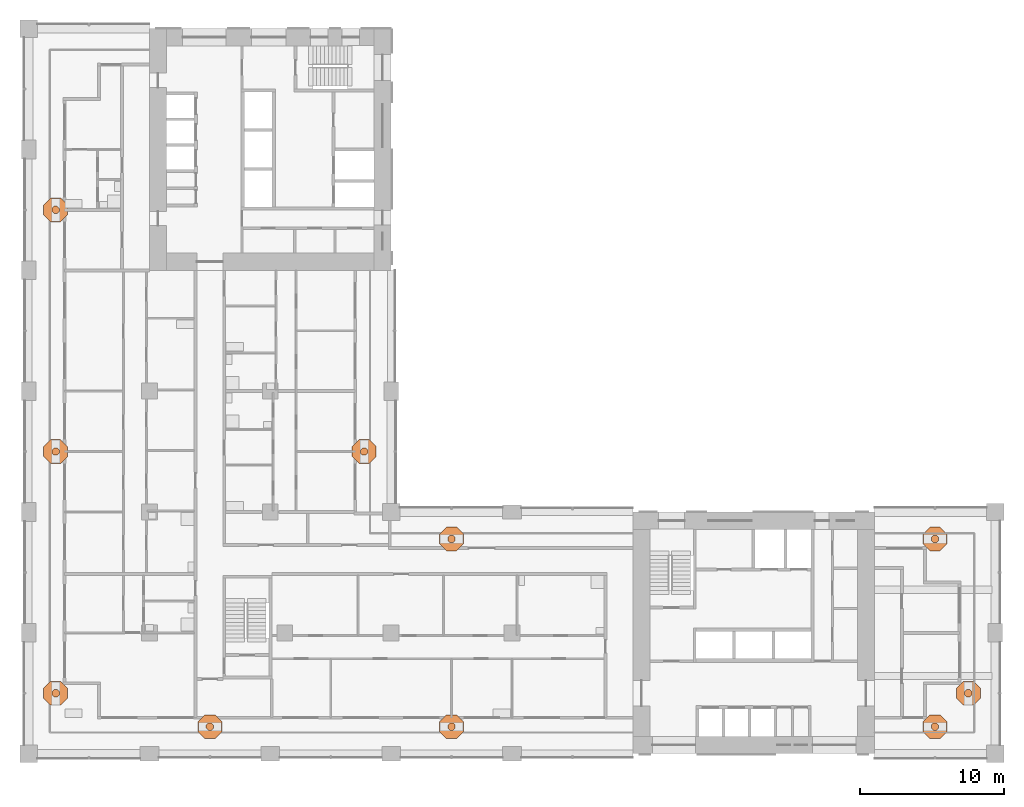
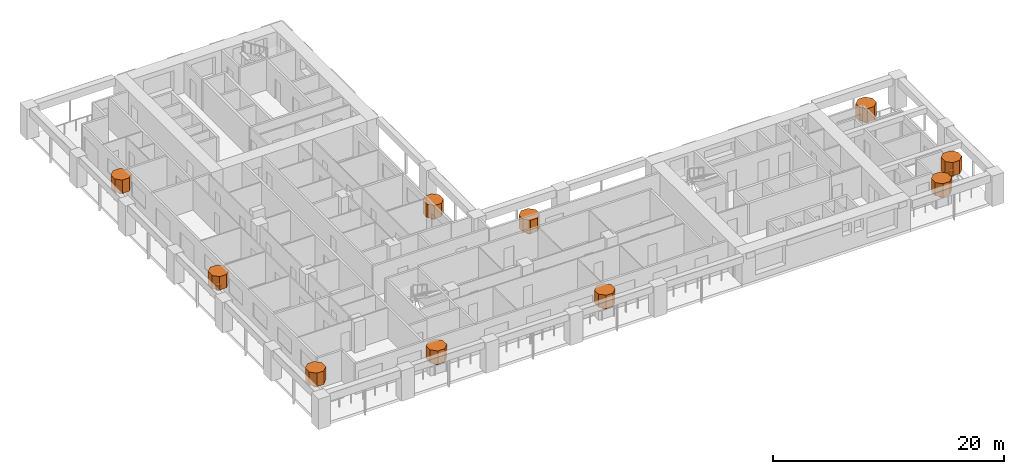
# One storey, part 18 of 18: 20 geographic elements.
"""IFC4 building model written with IfcOpenShell, lengths in metres."""

import ifcopenshell
import ifcopenshell.guid

model = None  # the IFC model being written
_history = None  # IfcOwnerHistory: only IFC2X3 demands one
_inside = {}  # id of a spatial element -> (the spatial element, [elements in it])
_under = {}  # id of a project, library or spatial element -> (it, [spatial elements below it])
_declared = {}  # id of a project -> (the project, [libraries it declares])
_typed = {}  # id of a type object -> (the type object, [elements of that type])
_made_of = {}  # id of a material, layer set ... -> (it, [elements and type objects made of it])


def new_model(schema):
    """Start an empty IFC model of exactly this schema.

    Asked for "IFC4X3", IfcOpenShell would pick the latest addendum, in which some entities
    have other attributes; the version numbers below select the first issue.
    IFC2X3 requires an IfcOwnerHistory on every rooted entity: one is made here for all.
    """
    global model, _history
    if schema == "IFC4X3":
        model = ifcopenshell.file(schema_version=(4, 3, 0, 0))
    else:
        model = ifcopenshell.file(schema=schema)
    _inside.clear()
    _under.clear()
    _declared.clear()
    _typed.clear()
    _made_of.clear()
    _history = None
    if model.schema == "IFC2X3":
        org = make("IfcOrganization", Name="unknown")
        user = make(
            "IfcPersonAndOrganization",
            ThePerson=make("IfcPerson", FamilyName="unknown"),
            TheOrganization=org,
        )
        app = make(
            "IfcApplication",
            ApplicationDeveloper=org,
            Version="unknown",
            ApplicationFullName="unknown",
            ApplicationIdentifier="unknown",
        )
        _history = make(
            "IfcOwnerHistory",
            OwningUser=user,
            OwningApplication=app,
            ChangeAction="ADDED",
            CreationDate=0,
        )
    return model


def make(cls, **values):
    """One entity of the class cls with the attributes given. An attribute that is None is left unset."""
    return model.create_entity(
        cls, **{name: value for name, value in values.items() if value is not None}
    )


def rooted(cls, **values):
    """An entity with a GlobalId (a new one), such as an element, a storey or a relation."""
    return make(cls, GlobalId=ifcopenshell.guid.new(), OwnerHistory=_history, **values)


def si_unit(unit_type, name, prefix=None):
    """IfcSIUnit, for example si_unit("LENGTHUNIT", "METRE", prefix="MILLI")."""
    return make("IfcSIUnit", UnitType=unit_type, Prefix=prefix, Name=name)


def assignment(units):
    """IfcUnitAssignment: the units of a project."""
    return None if units is None else make("IfcUnitAssignment", Units=units)


def point(xyz):
    """IfcCartesianPoint."""
    return None if xyz is None else make("IfcCartesianPoint", Coordinates=xyz)


def direction(xyz):
    """IfcDirection."""
    return None if xyz is None else make("IfcDirection", DirectionRatios=xyz)


def frame(location, z_axis=None, x_axis=None):
    """IfcAxis2Placement3D, a coordinate frame: its origin and axes. An axis left out is left unset."""
    return make(
        "IfcAxis2Placement3D",
        Location=point(location),
        Axis=direction(z_axis),
        RefDirection=direction(x_axis),
    )


def origin():
    """The frame at (0, 0, 0) with its axes left unset."""
    return frame((0.0, 0.0, 0.0))


def place(relative_to, where):
    """IfcLocalPlacement: puts the frame where relative to a parent placement (None: the world)."""
    return make(
        "IfcLocalPlacement", PlacementRelTo=relative_to, RelativePlacement=where
    )


def context(
    kind, dimensions, precision=None, world=None, true_north=None, identifier=None
):
    """IfcGeometricRepresentationContext, for example the 3D "Model" context."""
    return make(
        "IfcGeometricRepresentationContext",
        ContextIdentifier=identifier,
        ContextType=kind,
        CoordinateSpaceDimension=dimensions,
        Precision=precision,
        WorldCoordinateSystem=world,
        TrueNorth=true_north,
    )


def subcontext(parent, identifier, kind, view, scale=None):
    """IfcGeometricRepresentationSubContext, for example "Body" below "Model"."""
    return make(
        "IfcGeometricRepresentationSubContext",
        ContextIdentifier=identifier,
        ContextType=kind,
        ParentContext=parent,
        TargetScale=scale,
        TargetView=view,
    )


def project(units=None, contexts=None):
    """IfcProject with its units and contexts."""
    return rooted(
        "IfcProject",
        Name="project",
        RepresentationContexts=contexts,
        UnitsInContext=assignment(units),
    )


def spatial(cls, under=None, at=None, **own):
    """A site, building, storey or space (cls), placed at a placement, below another one or the project."""
    s = rooted(cls, ObjectPlacement=at, **own)
    if under is not None:
        _under.setdefault(under.id(), (under, []))[1].append(s)
    return s


def polyline(points):
    """IfcPolyline through the points."""
    return make("IfcPolyline", Points=[point(p) for p in points])


def outline(outer, holes=None, kind="AREA"):
    """IfcArbitraryClosedProfileDef: a profile drawn as a closed curve; with holes, ...WithVoids."""
    if holes is None:
        return make("IfcArbitraryClosedProfileDef", ProfileType=kind, OuterCurve=outer)
    return make(
        "IfcArbitraryProfileDefWithVoids",
        ProfileType=kind,
        OuterCurve=outer,
        InnerCurves=holes,
    )


def extrude(swept, where, along, depth):
    """IfcExtrudedAreaSolid: the profile swept, set in the frame where, extruded along a direction by depth."""
    return make(
        "IfcExtrudedAreaSolid",
        SweptArea=swept,
        Position=where,
        ExtrudedDirection=direction(along),
        Depth=depth,
    )


def shape(context_of_items, identifier, shape_type, items):
    """IfcShapeRepresentation: the items that make up one representation, for example the "Body"."""
    return make(
        "IfcShapeRepresentation",
        ContextOfItems=context_of_items,
        RepresentationIdentifier=identifier,
        RepresentationType=shape_type,
        Items=items,
    )


def material(Name=None, Category=None):
    """IfcMaterial."""
    return make("IfcMaterial", Name=Name, Category=Category)


def made_of(thing, what):
    """Note that an element or type object is made of a material, layer set ...; save() writes the relation."""
    if what is not None:
        _made_of.setdefault(what.id(), (what, []))[1].append(thing)
    return thing


def element(
    cls,
    number,
    at=None,
    inside=None,
    cuts=None,
    type_object=None,
    material=None,
    context=None,
    identifier="Body",
    shape_type=None,
    held_by="IfcProductDefinitionShape",
    body=None,
    shapes=None,
    **own,
):
    """One element of the class cls, such as IfcWall. Its Tag is "e" and its number.

    at: its placement. inside: the storey or other place that contains it. cuts: it is an
    opening in that element (IfcRelVoidsElement). A single representation is given by context,
    identifier, shape_type and body (its items); several are given by shapes. held_by: the class
    of the entity that holds the representations. save() writes the other relations.
    """
    e = rooted(cls, Tag="e%d" % number, ObjectPlacement=at, **own)
    if body is not None:
        shapes = [shape(context, identifier, shape_type, body)]
    if shapes is not None:
        e.Representation = make(held_by, Representations=shapes)
    if inside is not None:
        _inside.setdefault(inside.id(), (inside, []))[1].append(e)
    if cuts is not None:
        rooted(
            "IfcRelVoidsElement", RelatingBuildingElement=cuts, RelatedOpeningElement=e
        )
    if type_object is not None:
        _typed.setdefault(type_object.id(), (type_object, []))[1].append(e)
    return made_of(e, material)


def aggregate(whole, parts):
    """IfcRelAggregates: a whole, such as a stair, and the parts it consists of."""
    return rooted("IfcRelAggregates", RelatingObject=whole, RelatedObjects=parts)


def save(model, path):
    """Write the relations noted so far, then the file.

    IfcRelAggregates (storeys below a building ...), IfcRelContainedInSpatialStructure (elements
    in a storey), IfcRelDefinesByType, IfcRelAssociatesMaterial and IfcRelDeclares: one each for
    every whole, place, type object, material and project.
    """
    for whole, parts in _under.values():
        aggregate(whole, parts)
    for where, things in _inside.values():
        rooted(
            "IfcRelContainedInSpatialStructure",
            RelatedElements=things,
            RelatingStructure=where,
        )
    for kind, things in _typed.values():
        rooted("IfcRelDefinesByType", RelatedObjects=things, RelatingType=kind)
    for what, things in _made_of.values():
        rooted("IfcRelAssociatesMaterial", RelatedObjects=things, RelatingMaterial=what)
    for by, libraries in _declared.values():
        rooted("IfcRelDeclares", RelatingContext=by, RelatedDefinitions=libraries)
    model.write(path)


model = new_model("IFC4")

# Units and contexts
model_context = context("Model", 3, precision=1e-05, world=origin(), true_north=direction((0.0, 1.0)))
body_context = subcontext(model_context, "Body", "Model", "MODEL_VIEW")
ifc_project = project(units=[si_unit("LENGTHUNIT", "METRE"), si_unit("AREAUNIT", "SQUARE_METRE"), si_unit("VOLUMEUNIT", "CUBIC_METRE"), si_unit("PLANEANGLEUNIT", "RADIAN"), si_unit("MASSUNIT", "GRAM", prefix="KILO")], contexts=[model_context])

# Site, building, storey
site_placement = place(None, origin())
site = spatial("IfcSite", under=ifc_project, at=site_placement, CompositionType="ELEMENT")
building_placement = place(site_placement, origin())
building = spatial("IfcBuilding", under=site, at=building_placement, Name="Vermilion Gate Residences", CompositionType="ELEMENT")
storey_placement = place(building_placement, frame((0.0, 0.0, 88.199951171875)))
storey = spatial("IfcBuildingStorey", under=building, at=storey_placement, Name="L21", CompositionType="ELEMENT", Elevation=88.199951171875)

# Geographic elements
ifc_material = material(Name="Foliage")
geographic_element_1_placement = place(storey_placement, frame((0.0, 0.0, 0.900146484375)))
element("IfcGeographicElement", 1, at=geographic_element_1_placement, inside=storey, material=ifc_material, Name="Tree (maple)", ObjectType="TREE", PredefinedType="USERDEFINED", context=body_context, shape_type="SweptSolid", body=[
    extrude(outline(polyline([(12.85400390625, 10.380126953125), (12.705078125, 10.529052734375), (12.494873046875, 10.529052734375), (12.345947265625, 10.380126953125), (12.345947265625, 10.169921875), (12.494873046875, 10.02099609375), (12.705078125, 10.02099609375), (12.85400390625, 10.169921875), (12.85400390625, 10.380126953125)])), origin(), (0.0, 0.0, 1.0), 0.52001953125),
])
geographic_element_2_placement = place(storey_placement, frame((0.0, 0.0, 1.420166015625)))
element("IfcGeographicElement", 2, at=geographic_element_2_placement, inside=storey, material=ifc_material, Name="Tree crown (maple)", ObjectType="TREE", PredefinedType="USERDEFINED", context=body_context, shape_type="SweptSolid", body=[
    extrude(outline(polyline([(13.431396484375, 10.619384765625), (12.9443359375, 11.1064453125), (12.255615234375, 11.1064453125), (11.7685546875, 10.619384765625), (11.7685546875, 9.9306640625), (12.255615234375, 9.443603515625), (12.9443359375, 9.443603515625), (13.431396484375, 9.9306640625), (13.431396484375, 10.619384765625)])), origin(), (0.0, 0.0, 1.0), 1.39990234375),
])
geographic_element_3_placement = place(storey_placement, frame((0.0, 0.0, 0.900146484375)))
element("IfcGeographicElement", 3, at=geographic_element_3_placement, inside=storey, material=ifc_material, Name="Tree (black pine)", ObjectType="TREE", PredefinedType="USERDEFINED", context=body_context, shape_type="SweptSolid", body=[
    extrude(outline(polyline([(29.654052734375, 10.380126953125), (29.505126953125, 10.529052734375), (29.294921875, 10.529052734375), (29.14599609375, 10.380126953125), (29.14599609375, 10.169921875), (29.294921875, 10.02099609375), (29.505126953125, 10.02099609375), (29.654052734375, 10.169921875), (29.654052734375, 10.380126953125)])), origin(), (0.0, 0.0, 1.0), 0.52001953125),
])
geographic_element_4_placement = place(storey_placement, frame((0.0, 0.0, 1.420166015625)))
element("IfcGeographicElement", 4, at=geographic_element_4_placement, inside=storey, material=ifc_material, Name="Tree crown (black pine)", ObjectType="TREE", PredefinedType="USERDEFINED", context=body_context, shape_type="SweptSolid", body=[
    extrude(outline(polyline([(30.2314453125, 10.619384765625), (29.744384765625, 11.1064453125), (29.0556640625, 11.1064453125), (28.568603515625, 10.619384765625), (28.568603515625, 9.9306640625), (29.0556640625, 9.443603515625), (29.744384765625, 9.443603515625), (30.2314453125, 9.9306640625), (30.2314453125, 10.619384765625)])), origin(), (0.0, 0.0, 1.0), 1.39990234375),
])
geographic_element_5_placement = place(storey_placement, frame((0.0, 0.0, 0.900146484375)))
element("IfcGeographicElement", 5, at=geographic_element_5_placement, inside=storey, material=ifc_material, Name="Tree (black pine)", ObjectType="TREE", PredefinedType="USERDEFINED", context=body_context, shape_type="SweptSolid", body=[
    extrude(outline(polyline([(63.254150390625, 10.380126953125), (63.105224609375, 10.529052734375), (62.894775390625, 10.529052734375), (62.745849609375, 10.380126953125), (62.745849609375, 10.169921875), (62.894775390625, 10.02099609375), (63.105224609375, 10.02099609375), (63.254150390625, 10.169921875), (63.254150390625, 10.380126953125)])), origin(), (0.0, 0.0, 1.0), 0.52001953125),
])
geographic_element_6_placement = place(storey_placement, frame((0.0, 0.0, 1.420166015625)))
element("IfcGeographicElement", 6, at=geographic_element_6_placement, inside=storey, material=ifc_material, Name="Tree crown (black pine)", ObjectType="TREE", PredefinedType="USERDEFINED", context=body_context, shape_type="SweptSolid", body=[
    extrude(outline(polyline([(63.83154296875, 10.619384765625), (63.344482421875, 11.1064453125), (62.655517578125, 11.1064453125), (62.16845703125, 10.619384765625), (62.16845703125, 9.9306640625), (62.655517578125, 9.443603515625), (63.344482421875, 9.443603515625), (63.83154296875, 9.9306640625), (63.83154296875, 10.619384765625)])), origin(), (0.0, 0.0, 1.0), 1.39990234375),
])
geographic_element_7_placement = place(storey_placement, frame((0.0, 0.0, 0.900146484375)))
element("IfcGeographicElement", 7, at=geographic_element_7_placement, inside=storey, material=ifc_material, Name="Tree (maple)", ObjectType="TREE", PredefinedType="USERDEFINED", context=body_context, shape_type="SweptSolid", body=[
    extrude(outline(polyline([(65.5791015625, 12.705078125), (65.43017578125, 12.85400390625), (65.2197265625, 12.85400390625), (65.07080078125, 12.705078125), (65.07080078125, 12.494873046875), (65.2197265625, 12.345947265625), (65.43017578125, 12.345947265625), (65.5791015625, 12.494873046875), (65.5791015625, 12.705078125)])), origin(), (0.0, 0.0, 1.0), 0.52001953125),
])
geographic_element_8_placement = place(storey_placement, frame((0.0, 0.0, 1.420166015625)))
element("IfcGeographicElement", 8, at=geographic_element_8_placement, inside=storey, material=ifc_material, Name="Tree crown (maple)", ObjectType="TREE", PredefinedType="USERDEFINED", context=body_context, shape_type="SweptSolid", body=[
    extrude(outline(polyline([(66.156494140625, 12.9443359375), (65.66943359375, 13.431396484375), (64.980712890625, 13.431396484375), (64.493408203125, 12.9443359375), (64.493408203125, 12.255615234375), (64.980712890625, 11.7685546875), (65.66943359375, 11.7685546875), (66.156494140625, 12.255615234375), (66.156494140625, 12.9443359375)])), origin(), (0.0, 0.0, 1.0), 1.39990234375),
])
geographic_element_9_placement = place(storey_placement, frame((0.0, 0.0, 0.900146484375)))
element("IfcGeographicElement", 9, at=geographic_element_9_placement, inside=storey, material=ifc_material, Name="Tree (black pine)", ObjectType="TREE", PredefinedType="USERDEFINED", context=body_context, shape_type="SweptSolid", body=[
    extrude(outline(polyline([(29.654052734375, 23.43017578125), (29.505126953125, 23.5791015625), (29.294921875, 23.5791015625), (29.14599609375, 23.43017578125), (29.14599609375, 23.2197265625), (29.294921875, 23.07080078125), (29.505126953125, 23.07080078125), (29.654052734375, 23.2197265625), (29.654052734375, 23.43017578125)])), origin(), (0.0, 0.0, 1.0), 0.52001953125),
])
geographic_element_10_placement = place(storey_placement, frame((0.0, 0.0, 1.420166015625)))
element("IfcGeographicElement", 10, at=geographic_element_10_placement, inside=storey, material=ifc_material, Name="Tree crown (black pine)", ObjectType="TREE", PredefinedType="USERDEFINED", context=body_context, shape_type="SweptSolid", body=[
    extrude(outline(polyline([(30.2314453125, 23.66943359375), (29.744384765625, 24.156494140625), (29.0556640625, 24.156494140625), (28.568603515625, 23.66943359375), (28.568603515625, 22.980712890625), (29.0556640625, 22.493408203125), (29.744384765625, 22.493408203125), (30.2314453125, 22.980712890625), (30.2314453125, 23.66943359375)])), origin(), (0.0, 0.0, 1.0), 1.39990234375),
])
geographic_element_11_placement = place(storey_placement, frame((0.0, 0.0, 0.900146484375)))
element("IfcGeographicElement", 11, at=geographic_element_11_placement, inside=storey, material=ifc_material, Name="Tree (black pine)", ObjectType="TREE", PredefinedType="USERDEFINED", context=body_context, shape_type="SweptSolid", body=[
    extrude(outline(polyline([(63.254150390625, 23.43017578125), (63.105224609375, 23.5791015625), (62.894775390625, 23.5791015625), (62.745849609375, 23.43017578125), (62.745849609375, 23.2197265625), (62.894775390625, 23.07080078125), (63.105224609375, 23.07080078125), (63.254150390625, 23.2197265625), (63.254150390625, 23.43017578125)])), origin(), (0.0, 0.0, 1.0), 0.52001953125),
])
geographic_element_12_placement = place(storey_placement, frame((0.0, 0.0, 1.420166015625)))
element("IfcGeographicElement", 12, at=geographic_element_12_placement, inside=storey, material=ifc_material, Name="Tree crown (black pine)", ObjectType="TREE", PredefinedType="USERDEFINED", context=body_context, shape_type="SweptSolid", body=[
    extrude(outline(polyline([(63.83154296875, 23.66943359375), (63.344482421875, 24.156494140625), (62.655517578125, 24.156494140625), (62.16845703125, 23.66943359375), (62.16845703125, 22.980712890625), (62.655517578125, 22.493408203125), (63.344482421875, 22.493408203125), (63.83154296875, 22.980712890625), (63.83154296875, 23.66943359375)])), origin(), (0.0, 0.0, 1.0), 1.39990234375),
])
geographic_element_13_placement = place(storey_placement, frame((0.0, 0.0, 0.900146484375)))
element("IfcGeographicElement", 13, at=geographic_element_13_placement, inside=storey, material=ifc_material, Name="Tree (black pine)", ObjectType="TREE", PredefinedType="USERDEFINED", context=body_context, shape_type="SweptSolid", body=[
    extrude(outline(polyline([(23.5791015625, 29.505126953125), (23.43017578125, 29.654052734375), (23.2197265625, 29.654052734375), (23.07080078125, 29.505126953125), (23.07080078125, 29.294921875), (23.2197265625, 29.14599609375), (23.43017578125, 29.14599609375), (23.5791015625, 29.294921875), (23.5791015625, 29.505126953125)])), origin(), (0.0, 0.0, 1.0), 0.52001953125),
])
geographic_element_14_placement = place(storey_placement, frame((0.0, 0.0, 1.420166015625)))
element("IfcGeographicElement", 14, at=geographic_element_14_placement, inside=storey, material=ifc_material, Name="Tree crown (black pine)", ObjectType="TREE", PredefinedType="USERDEFINED", context=body_context, shape_type="SweptSolid", body=[
    extrude(outline(polyline([(24.156494140625, 29.744384765625), (23.66943359375, 30.2314453125), (22.980712890625, 30.2314453125), (22.493408203125, 29.744384765625), (22.493408203125, 29.0556640625), (22.980712890625, 28.568603515625), (23.66943359375, 28.568603515625), (24.156494140625, 29.0556640625), (24.156494140625, 29.744384765625)])), origin(), (0.0, 0.0, 1.0), 1.39990234375),
])
geographic_element_15_placement = place(storey_placement, frame((0.0, 0.0, 0.900146484375)))
element("IfcGeographicElement", 15, at=geographic_element_15_placement, inside=storey, material=ifc_material, Name="Tree (maple)", ObjectType="TREE", PredefinedType="USERDEFINED", context=body_context, shape_type="SweptSolid", body=[
    extrude(outline(polyline([(2.129150390625, 12.705078125), (1.980224609375, 12.85400390625), (1.769775390625, 12.85400390625), (1.620849609375, 12.705078125), (1.620849609375, 12.494873046875), (1.769775390625, 12.345947265625), (1.980224609375, 12.345947265625), (2.129150390625, 12.494873046875), (2.129150390625, 12.705078125)])), origin(), (0.0, 0.0, 1.0), 0.52001953125),
])
geographic_element_16_placement = place(storey_placement, frame((0.0, 0.0, 1.420166015625)))
element("IfcGeographicElement", 16, at=geographic_element_16_placement, inside=storey, material=ifc_material, Name="Tree crown (maple)", ObjectType="TREE", PredefinedType="USERDEFINED", context=body_context, shape_type="SweptSolid", body=[
    extrude(outline(polyline([(2.70654296875, 12.9443359375), (2.219482421875, 13.431396484375), (1.530517578125, 13.431396484375), (1.04345703125, 12.9443359375), (1.04345703125, 12.255615234375), (1.530517578125, 11.7685546875), (2.219482421875, 11.7685546875), (2.70654296875, 12.255615234375), (2.70654296875, 12.9443359375)])), origin(), (0.0, 0.0, 1.0), 1.39990234375),
])
geographic_element_17_placement = place(storey_placement, frame((0.0, 0.0, 0.900146484375)))
element("IfcGeographicElement", 17, at=geographic_element_17_placement, inside=storey, material=ifc_material, Name="Tree (black pine)", ObjectType="TREE", PredefinedType="USERDEFINED", context=body_context, shape_type="SweptSolid", body=[
    extrude(outline(polyline([(2.129150390625, 29.505126953125), (1.980224609375, 29.654052734375), (1.769775390625, 29.654052734375), (1.620849609375, 29.505126953125), (1.620849609375, 29.294921875), (1.769775390625, 29.14599609375), (1.980224609375, 29.14599609375), (2.129150390625, 29.294921875), (2.129150390625, 29.505126953125)])), origin(), (0.0, 0.0, 1.0), 0.52001953125),
])
geographic_element_18_placement = place(storey_placement, frame((0.0, 0.0, 1.420166015625)))
element("IfcGeographicElement", 18, at=geographic_element_18_placement, inside=storey, material=ifc_material, Name="Tree crown (black pine)", ObjectType="TREE", PredefinedType="USERDEFINED", context=body_context, shape_type="SweptSolid", body=[
    extrude(outline(polyline([(2.70654296875, 29.744384765625), (2.219482421875, 30.2314453125), (1.530517578125, 30.2314453125), (1.04345703125, 29.744384765625), (1.04345703125, 29.0556640625), (1.530517578125, 28.568603515625), (2.219482421875, 28.568603515625), (2.70654296875, 29.0556640625), (2.70654296875, 29.744384765625)])), origin(), (0.0, 0.0, 1.0), 1.39990234375),
])
geographic_element_19_placement = place(storey_placement, frame((0.0, 0.0, 0.900146484375)))
element("IfcGeographicElement", 19, at=geographic_element_19_placement, inside=storey, material=ifc_material, Name="Tree (maple)", ObjectType="TREE", PredefinedType="USERDEFINED", context=body_context, shape_type="SweptSolid", body=[
    extrude(outline(polyline([(2.129150390625, 46.30517578125), (1.980224609375, 46.4541015625), (1.769775390625, 46.4541015625), (1.620849609375, 46.30517578125), (1.620849609375, 46.0947265625), (1.769775390625, 45.94580078125), (1.980224609375, 45.94580078125), (2.129150390625, 46.0947265625), (2.129150390625, 46.30517578125)])), origin(), (0.0, 0.0, 1.0), 0.52001953125),
])
geographic_element_20_placement = place(storey_placement, frame((0.0, 0.0, 1.420166015625)))
element("IfcGeographicElement", 20, at=geographic_element_20_placement, inside=storey, material=ifc_material, Name="Tree crown (maple)", ObjectType="TREE", PredefinedType="USERDEFINED", context=body_context, shape_type="SweptSolid", body=[
    extrude(outline(polyline([(2.70654296875, 46.54443359375), (2.219482421875, 47.031494140625), (1.530517578125, 47.031494140625), (1.04345703125, 46.54443359375), (1.04345703125, 45.855712890625), (1.530517578125, 45.368408203125), (2.219482421875, 45.368408203125), (2.70654296875, 45.855712890625), (2.70654296875, 46.54443359375)])), origin(), (0.0, 0.0, 1.0), 1.39990234375),
])

save(model, "model.ifc")
